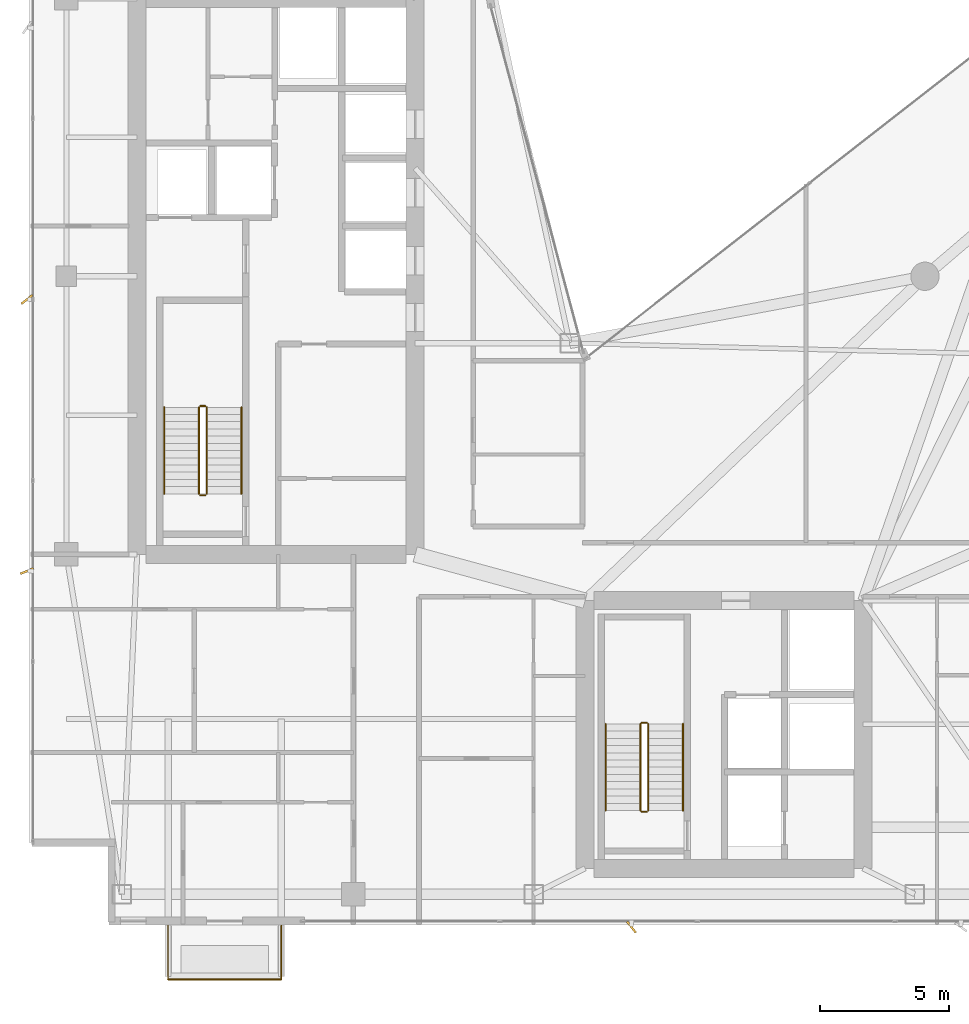
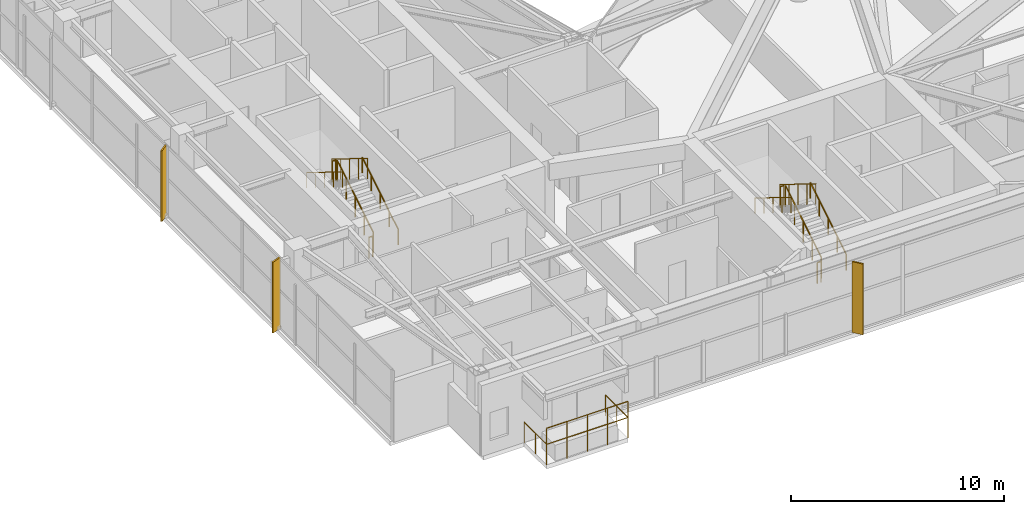
# One storey, part 28 of 29: 14 railings, 3 shading devices.
"""IFC4 building model written with IfcOpenShell, lengths in metres."""

from ifc_helpers import new_model, si_unit, direction, frame, origin, origin_2d, place, context, subcontext, project, spatial, rectangle, circle, extrude, material, type_object, element, save


model = new_model("IFC4")

# Units and contexts
model_context = context("Model", 3, precision=1e-05, world=origin(), true_north=direction((0.0, 1.0)))
body_context = subcontext(model_context, "Body", "Model", "MODEL_VIEW")
ifc_project = project(units=[si_unit("LENGTHUNIT", "METRE"), si_unit("AREAUNIT", "SQUARE_METRE"), si_unit("VOLUMEUNIT", "CUBIC_METRE"), si_unit("PLANEANGLEUNIT", "RADIAN"), si_unit("MASSUNIT", "GRAM", prefix="KILO")], contexts=[model_context])

# Site, building, storey
site_placement = place(None, origin())
site = spatial("IfcSite", under=ifc_project, at=site_placement, CompositionType="ELEMENT")
building_placement = place(site_placement, origin())
building = spatial("IfcBuilding", under=site, at=building_placement, Name="Calvorn Quay Hotel", CompositionType="ELEMENT")
storey_placement = place(building_placement, frame((0.0, 0.0, 214.800048828125)))
storey = spatial("IfcBuildingStorey", under=building, at=storey_placement, Name="L53", CompositionType="ELEMENT", Elevation=214.800048828125)

# Railings
ifc_material_1 = material(Name="Pale Anodised Aluminium and Laminated Glass", Category="aluminium")
railing_type_1 = type_object("IfcRailingType", Name="RLG-BALUSTRADE-1200", PredefinedType="BALUSTRADE", material=ifc_material_1)
railing_1_placement = place(storey_placement, frame((5.39990234375, 2.389892578125, 0.0)))
element("IfcRailing", 1, at=railing_1_placement, inside=storey, type_object=railing_type_1, Name="Tree Balcony Perimeter Balustrade L53-BALC-S", PredefinedType="BALUSTRADE", context=body_context, shape_type="SweptSolid", body=[
    extrude(circle(Radius=0.02392578125, at=origin_2d()), frame((0.0, 0.0, 1.17578125), z_axis=(0.0, -1.0, 0.0), x_axis=(1.0, 0.0, 0.0)), (0.0, 0.0, 1.0), 2.099853515625),
    extrude(circle(Radius=0.02392578125, at=origin_2d()), frame((0.0, -2.099853515625, 1.17578125), z_axis=(1.0, 0.0, 0.0), x_axis=(0.0, 1.0, 0.0)), (0.0, 0.0, 1.0), 4.400146484375),
    extrude(circle(Radius=0.02392578125, at=origin_2d()), frame((4.400146484375, -2.099853515625, 1.17578125), z_axis=(0.0, 1.0, 0.0), x_axis=(-1.0, 0.0, 0.0)), (0.0, 0.0, 1.0), 2.099853515625),
    extrude(circle(Radius=0.02099609375, at=origin_2d()), origin(), (0.0, 0.0, 1.0), 1.15185546875),
    extrude(circle(Radius=0.02099609375, at=origin_2d()), frame((0.0, -1.0498046875, 0.0)), (0.0, 0.0, 1.0), 1.15185546875),
    extrude(circle(Radius=0.02099609375, at=origin_2d()), frame((0.0, -2.099853515625, 0.0)), (0.0, 0.0, 1.0), 1.15185546875),
    extrude(circle(Radius=0.02099609375, at=origin_2d()), frame((1.10009765625, -2.099853515625, 0.0)), (0.0, 0.0, 1.0), 1.15185546875),
    extrude(circle(Radius=0.02099609375, at=origin_2d()), frame((2.2001953125, -2.099853515625, 0.0)), (0.0, 0.0, 1.0), 1.15185546875),
    extrude(circle(Radius=0.02099609375, at=origin_2d()), frame((3.300048828125, -2.099853515625, 0.0)), (0.0, 0.0, 1.0), 1.15185546875),
    extrude(circle(Radius=0.02099609375, at=origin_2d()), frame((4.400146484375, -2.099853515625, 0.0)), (0.0, 0.0, 1.0), 1.15185546875),
    extrude(circle(Radius=0.02099609375, at=origin_2d()), frame((4.400146484375, -1.0498046875, 0.0)), (0.0, 0.0, 1.0), 1.15185546875),
    extrude(circle(Radius=0.02099609375, at=origin_2d()), frame((4.400146484375, 0.0, 0.0)), (0.0, 0.0, 1.0), 1.15185546875),
])
railing_2_placement = place(storey_placement, frame((5.39990234375, 0.2900390625, 0.89990234375)))
element("IfcRailing", 2, at=railing_2_placement, inside=storey, type_object=railing_type_1, Name="Planter Kerb High Safety Screen L53-BALC-S", PredefinedType="BALUSTRADE", context=body_context, shape_type="SweptSolid", body=[
    extrude(circle(Radius=0.02392578125, at=origin_2d()), frame((0.0, 0.0, 1.19580078125), z_axis=(1.0, 0.0, 0.0), x_axis=(0.0, 1.0, 0.0)), (0.0, 0.0, 1.0), 4.400146484375),
    extrude(circle(Radius=0.02099609375, at=origin_2d()), origin(), (0.0, 0.0, 1.0), 1.171875),
    extrude(circle(Radius=0.02099609375, at=origin_2d()), frame((1.10009765625, 0.0, 0.0)), (0.0, 0.0, 1.0), 1.171875),
    extrude(circle(Radius=0.02099609375, at=origin_2d()), frame((2.2001953125, 0.0, 0.0)), (0.0, 0.0, 1.0), 1.171875),
    extrude(circle(Radius=0.02099609375, at=origin_2d()), frame((3.300048828125, 0.0, 0.0)), (0.0, 0.0, 1.0), 1.171875),
    extrude(circle(Radius=0.02099609375, at=origin_2d()), frame((4.400146484375, 0.0, 0.0)), (0.0, 0.0, 1.0), 1.171875),
])
ifc_material_2 = material(Name="Brushed Stainless Steel Handrail", Category="steel")
railing_type_2 = type_object("IfcRailingType", Name="RLG-HANDRAIL-900", PredefinedType="HANDRAIL", material=ifc_material_2)
railing_3_placement = place(storey_placement, frame((8.25, 19.14990234375, 0.173095703125)))
element("IfcRailing", 3, at=railing_3_placement, inside=storey, type_object=railing_type_2, Name="L53 ST-W stair handrail 1", PredefinedType="HANDRAIL", context=body_context, shape_type="SweptSolid", body=[
    extrude(circle(Radius=0.02392578125, at=origin_2d()), frame((0.0, 0.0, 0.8759765625), z_axis=(0.0, 0.850623216509, 0.525775754039), x_axis=(-1.0, 0.0, 0.0)), (0.0, 0.0, 1.0), 3.9501953125),
    extrude(circle(Radius=0.02099609375, at=origin_2d()), origin(), (0.0, 0.0, 1.0), 0.851806640625),
    extrude(circle(Radius=0.02099609375, at=origin_2d()), frame((0.0, 0.840087890625, 0.519287109375)), (0.0, 0.0, 1.0), 0.851806640625),
    extrude(circle(Radius=0.02099609375, at=origin_2d()), frame((0.0, 1.68017578125, 1.03857421875)), (0.0, 0.0, 1.0), 0.851806640625),
    extrude(circle(Radius=0.02099609375, at=origin_2d()), frame((0.0, 2.52001953125, 1.5576171875)), (0.0, 0.0, 1.0), 0.851806640625),
    extrude(circle(Radius=0.02099609375, at=origin_2d()), frame((0.0, 3.360107421875, 2.076904296875)), (0.0, 0.0, 1.0), 0.851806640625),
])
railing_4_placement = place(storey_placement, frame((5.25, 22.510009765625, 2.423095703125)))
element("IfcRailing", 4, at=railing_4_placement, inside=storey, type_object=railing_type_2, Name="L53 ST-W stair handrail 2", PredefinedType="HANDRAIL", context=body_context, shape_type="SweptSolid", body=[
    extrude(circle(Radius=0.02392578125, at=origin_2d()), frame((0.0, 0.0, 0.8759765625), z_axis=(0.0, -0.850623216509, 0.525775754039), x_axis=(1.0, 0.0, 0.0)), (0.0, 0.0, 1.0), 3.9501953125),
    extrude(circle(Radius=0.02099609375, at=origin_2d()), origin(), (0.0, 0.0, 1.0), 0.851806640625),
    extrude(circle(Radius=0.02099609375, at=origin_2d()), frame((0.0, -0.840087890625, 0.519287109375)), (0.0, 0.0, 1.0), 0.851806640625),
    extrude(circle(Radius=0.02099609375, at=origin_2d()), frame((0.0, -1.68017578125, 1.03857421875)), (0.0, 0.0, 1.0), 0.851806640625),
    extrude(circle(Radius=0.02099609375, at=origin_2d()), frame((0.0, -2.52001953125, 1.5576171875)), (0.0, 0.0, 1.0), 0.851806640625),
    extrude(circle(Radius=0.02099609375, at=origin_2d()), frame((0.0, -3.360107421875, 2.076904296875)), (0.0, 0.0, 1.0), 0.851806640625),
])
railing_5_placement = place(storey_placement, frame((25.39990234375, 6.85009765625, 0.173095703125)))
element("IfcRailing", 5, at=railing_5_placement, inside=storey, type_object=railing_type_2, Name="L53 ST-E stair handrail 1", PredefinedType="HANDRAIL", context=body_context, shape_type="SweptSolid", body=[
    extrude(circle(Radius=0.02392578125, at=origin_2d()), frame((0.0, 0.0, 0.8759765625), z_axis=(0.0, 0.850606129759, 0.525803396734), x_axis=(-1.0, 0.0, 0.0)), (0.0, 0.0, 1.0), 3.949951171875),
    extrude(circle(Radius=0.02099609375, at=origin_2d()), origin(), (0.0, 0.0, 1.0), 0.851806640625),
    extrude(circle(Radius=0.02099609375, at=origin_2d()), frame((0.0, 0.83984375, 0.519287109375)), (0.0, 0.0, 1.0), 0.851806640625),
    extrude(circle(Radius=0.02099609375, at=origin_2d()), frame((0.0, 1.679931640625, 1.03857421875)), (0.0, 0.0, 1.0), 0.851806640625),
    extrude(circle(Radius=0.02099609375, at=origin_2d()), frame((0.0, 2.52001953125, 1.5576171875)), (0.0, 0.0, 1.0), 0.851806640625),
    extrude(circle(Radius=0.02099609375, at=origin_2d()), frame((0.0, 3.35986328125, 2.076904296875)), (0.0, 0.0, 1.0), 0.851806640625),
])
railing_6_placement = place(storey_placement, frame((22.39990234375, 10.2099609375, 2.423095703125)))
element("IfcRailing", 6, at=railing_6_placement, inside=storey, type_object=railing_type_2, Name="L53 ST-E stair handrail 2", PredefinedType="HANDRAIL", context=body_context, shape_type="SweptSolid", body=[
    extrude(circle(Radius=0.02392578125, at=origin_2d()), frame((0.0, 0.0, 0.8759765625), z_axis=(0.0, -0.850606129759, 0.525803396734), x_axis=(1.0, 0.0, 0.0)), (0.0, 0.0, 1.0), 3.949951171875),
    extrude(circle(Radius=0.02099609375, at=origin_2d()), origin(), (0.0, 0.0, 1.0), 0.851806640625),
    extrude(circle(Radius=0.02099609375, at=origin_2d()), frame((0.0, -0.83984375, 0.519287109375)), (0.0, 0.0, 1.0), 0.851806640625),
    extrude(circle(Radius=0.02099609375, at=origin_2d()), frame((0.0, -1.679931640625, 1.03857421875)), (0.0, 0.0, 1.0), 0.851806640625),
    extrude(circle(Radius=0.02099609375, at=origin_2d()), frame((0.0, -2.52001953125, 1.5576171875)), (0.0, 0.0, 1.0), 0.851806640625),
    extrude(circle(Radius=0.02099609375, at=origin_2d()), frame((0.0, -3.35986328125, 2.076904296875)), (0.0, 0.0, 1.0), 0.851806640625),
])
ifc_material_3 = material(Name="Painted Galvanised Steel Balustrade", Category="steel")
railing_type_3 = type_object("IfcRailingType", Name="RLG-STAIR-GUARD-1120", PredefinedType="GUARDRAIL", material=ifc_material_3)
railing_7_placement = place(storey_placement, frame((6.89990234375, 19.14990234375, 0.173095703125)))
element("IfcRailing", 7, at=railing_7_placement, inside=storey, type_object=railing_type_3, Name="L53 ST-W stair guard 1", PredefinedType="GUARDRAIL", context=body_context, shape_type="SweptSolid", body=[
    extrude(circle(Radius=0.02392578125, at=origin_2d()), frame((0.0, 0.0, 1.17578125), z_axis=(0.0, 0.850623216509, 0.525775754039), x_axis=(-1.0, 0.0, 0.0)), (0.0, 0.0, 1.0), 3.9501953125),
    extrude(circle(Radius=0.02099609375, at=origin_2d()), origin(), (0.0, 0.0, 1.0), 1.15185546875),
    extrude(circle(Radius=0.02099609375, at=origin_2d()), frame((0.0, 0.840087890625, 0.519287109375)), (0.0, 0.0, 1.0), 1.15185546875),
    extrude(circle(Radius=0.02099609375, at=origin_2d()), frame((0.0, 1.68017578125, 1.03857421875)), (0.0, 0.0, 1.0), 1.15185546875),
    extrude(circle(Radius=0.02099609375, at=origin_2d()), frame((0.0, 2.52001953125, 1.5576171875)), (0.0, 0.0, 1.0), 1.15185546875),
    extrude(circle(Radius=0.02099609375, at=origin_2d()), frame((0.0, 3.360107421875, 2.076904296875)), (0.0, 0.0, 1.0), 1.15185546875),
])
railing_8_placement = place(storey_placement, frame((6.85009765625, 22.56005859375, 2.25)))
element("IfcRailing", 8, at=railing_8_placement, inside=storey, type_object=railing_type_3, Name="L53 ST-W stair guard 2", PredefinedType="GUARDRAIL", context=body_context, shape_type="SweptSolid", body=[
    extrude(circle(Radius=0.02392578125, at=origin_2d()), frame((0.0, 0.0, 1.17578125), z_axis=(-1.0, 0.0, 0.0), x_axis=(0.0, -1.0, 0.0)), (0.0, 0.0, 1.0), 0.2001953125),
    extrude(circle(Radius=0.02099609375, at=origin_2d()), origin(), (0.0, 0.0, 1.0), 1.15185546875),
    extrude(circle(Radius=0.02099609375, at=origin_2d()), frame((-0.2001953125, 0.0, 0.0)), (0.0, 0.0, 1.0), 1.15185546875),
])
railing_9_placement = place(storey_placement, frame((6.60009765625, 22.510009765625, 2.423095703125)))
element("IfcRailing", 9, at=railing_9_placement, inside=storey, type_object=railing_type_3, Name="L53 ST-W stair guard 3", PredefinedType="GUARDRAIL", context=body_context, shape_type="SweptSolid", body=[
    extrude(circle(Radius=0.02392578125, at=origin_2d()), frame((0.0, 0.0, 1.17578125), z_axis=(0.0, -0.850623216509, 0.525775754039), x_axis=(1.0, 0.0, 0.0)), (0.0, 0.0, 1.0), 3.9501953125),
    extrude(circle(Radius=0.02099609375, at=origin_2d()), origin(), (0.0, 0.0, 1.0), 1.15185546875),
    extrude(circle(Radius=0.02099609375, at=origin_2d()), frame((0.0, -0.840087890625, 0.519287109375)), (0.0, 0.0, 1.0), 1.15185546875),
    extrude(circle(Radius=0.02099609375, at=origin_2d()), frame((0.0, -1.68017578125, 1.03857421875)), (0.0, 0.0, 1.0), 1.15185546875),
    extrude(circle(Radius=0.02099609375, at=origin_2d()), frame((0.0, -2.52001953125, 1.5576171875)), (0.0, 0.0, 1.0), 1.15185546875),
    extrude(circle(Radius=0.02099609375, at=origin_2d()), frame((0.0, -3.360107421875, 2.076904296875)), (0.0, 0.0, 1.0), 1.15185546875),
])
railing_10_placement = place(storey_placement, frame((6.85009765625, 19.10009765625, 0.0)))
element("IfcRailing", 10, at=railing_10_placement, inside=storey, type_object=railing_type_3, Name="L53 ST-W stair guard 4", PredefinedType="GUARDRAIL", context=body_context, shape_type="SweptSolid", body=[
    extrude(circle(Radius=0.02392578125, at=origin_2d()), frame((0.0, 0.0, 1.17578125), z_axis=(-1.0, 0.0, 0.0), x_axis=(0.0, -1.0, 0.0)), (0.0, 0.0, 1.0), 0.2001953125),
    extrude(circle(Radius=0.02099609375, at=origin_2d()), origin(), (0.0, 0.0, 1.0), 1.15185546875),
    extrude(circle(Radius=0.02099609375, at=origin_2d()), frame((-0.2001953125, 0.0, 0.0)), (0.0, 0.0, 1.0), 1.15185546875),
])
railing_11_placement = place(storey_placement, frame((24.050048828125, 6.85009765625, 0.173095703125)))
element("IfcRailing", 11, at=railing_11_placement, inside=storey, type_object=railing_type_3, Name="L53 ST-E stair guard 1", PredefinedType="GUARDRAIL", context=body_context, shape_type="SweptSolid", body=[
    extrude(circle(Radius=0.02392578125, at=origin_2d()), frame((0.0, 0.0, 1.17578125), z_axis=(0.0, 0.850606129759, 0.525803396734), x_axis=(-1.0, 0.0, 0.0)), (0.0, 0.0, 1.0), 3.949951171875),
    extrude(circle(Radius=0.02099609375, at=origin_2d()), origin(), (0.0, 0.0, 1.0), 1.15185546875),
    extrude(circle(Radius=0.02099609375, at=origin_2d()), frame((0.0, 0.83984375, 0.519287109375)), (0.0, 0.0, 1.0), 1.15185546875),
    extrude(circle(Radius=0.02099609375, at=origin_2d()), frame((0.0, 1.679931640625, 1.03857421875)), (0.0, 0.0, 1.0), 1.15185546875),
    extrude(circle(Radius=0.02099609375, at=origin_2d()), frame((0.0, 2.52001953125, 1.5576171875)), (0.0, 0.0, 1.0), 1.15185546875),
    extrude(circle(Radius=0.02099609375, at=origin_2d()), frame((0.0, 3.35986328125, 2.076904296875)), (0.0, 0.0, 1.0), 1.15185546875),
])
railing_12_placement = place(storey_placement, frame((24.0, 10.260009765625, 2.25)))
element("IfcRailing", 12, at=railing_12_placement, inside=storey, type_object=railing_type_3, Name="L53 ST-E stair guard 2", PredefinedType="GUARDRAIL", context=body_context, shape_type="SweptSolid", body=[
    extrude(circle(Radius=0.02392578125, at=origin_2d()), frame((0.0, 0.0, 1.17578125), z_axis=(-1.0, 0.0, 0.0), x_axis=(0.0, -1.0, 0.0)), (0.0, 0.0, 1.0), 0.199951171875),
    extrude(circle(Radius=0.02099609375, at=origin_2d()), origin(), (0.0, 0.0, 1.0), 1.15185546875),
    extrude(circle(Radius=0.02099609375, at=origin_2d()), frame((-0.199951171875, 0.0, 0.0)), (0.0, 0.0, 1.0), 1.15185546875),
])
railing_13_placement = place(storey_placement, frame((23.75, 10.2099609375, 2.423095703125)))
element("IfcRailing", 13, at=railing_13_placement, inside=storey, type_object=railing_type_3, Name="L53 ST-E stair guard 3", PredefinedType="GUARDRAIL", context=body_context, shape_type="SweptSolid", body=[
    extrude(circle(Radius=0.02392578125, at=origin_2d()), frame((0.0, 0.0, 1.17578125), z_axis=(0.0, -0.850606129759, 0.525803396734), x_axis=(1.0, 0.0, 0.0)), (0.0, 0.0, 1.0), 3.949951171875),
    extrude(circle(Radius=0.02099609375, at=origin_2d()), origin(), (0.0, 0.0, 1.0), 1.15185546875),
    extrude(circle(Radius=0.02099609375, at=origin_2d()), frame((0.0, -0.83984375, 0.519287109375)), (0.0, 0.0, 1.0), 1.15185546875),
    extrude(circle(Radius=0.02099609375, at=origin_2d()), frame((0.0, -1.679931640625, 1.03857421875)), (0.0, 0.0, 1.0), 1.15185546875),
    extrude(circle(Radius=0.02099609375, at=origin_2d()), frame((0.0, -2.52001953125, 1.5576171875)), (0.0, 0.0, 1.0), 1.15185546875),
    extrude(circle(Radius=0.02099609375, at=origin_2d()), frame((0.0, -3.35986328125, 2.076904296875)), (0.0, 0.0, 1.0), 1.15185546875),
])
railing_14_placement = place(storey_placement, frame((24.0, 6.800048828125, 0.0)))
element("IfcRailing", 14, at=railing_14_placement, inside=storey, type_object=railing_type_3, Name="L53 ST-E stair guard 4", PredefinedType="GUARDRAIL", context=body_context, shape_type="SweptSolid", body=[
    extrude(circle(Radius=0.02392578125, at=origin_2d()), frame((0.0, 0.0, 1.17578125), z_axis=(-1.0, 0.0, 0.0), x_axis=(0.0, -1.0, 0.0)), (0.0, 0.0, 1.0), 0.199951171875),
    extrude(circle(Radius=0.02099609375, at=origin_2d()), origin(), (0.0, 0.0, 1.0), 1.15185546875),
    extrude(circle(Radius=0.02099609375, at=origin_2d()), frame((-0.199951171875, 0.0, 0.0)), (0.0, 0.0, 1.0), 1.15185546875),
])

# Shading devices
ifc_material_4 = material(Name="Champagne Bronze Anodised Aluminium 6063-T6", Category="aluminium")
shading_device_type_1 = type_object("IfcShadingDeviceType", Name="SHD-FIN-A1", PredefinedType="USERDEFINED", material=ifc_material_4)
shading_device_placement = place(storey_placement, frame((-0.080078125, 16.14990234375, 0.0), z_axis=(0.0, 0.0, 1.0), x_axis=(0.927183854567, 0.374606593416, 0.0)))
element("IfcShadingDevice", 15, at=shading_device_placement, inside=storey, type_object=shading_device_type_1, Name="Diagonal Sun-Shading Fin L53-W01", ObjectType="FIN", PredefinedType="USERDEFINED", context=body_context, shape_type="SweptSolid", body=[
    extrude(rectangle(XDim=0.550048828125, YDim=0.080078125, at=origin_2d()), origin(), (0.0, 0.0, 1.0), 4.050048828125),
])
ifc_material_5 = material(Name="Champagne Bronze Anodised Aluminium 6063-T6", Category="aluminium")
shading_device_type_2 = type_object("IfcShadingDeviceType", Name="SHD-FIN-A2", PredefinedType="USERDEFINED", material=ifc_material_5)
for number, where, z_axis, x_axis, name in (
    (16, (-0.080078125, 26.699951171875, 0.0), (0.0, 0.0, 1.0), (0.788010753607, 0.615661475326, 0.0), "Diagonal Sun-Shading Fin L53-W02"),
    (17, (23.39990234375, 2.320068359375, 0.0), (0.0, 0.0, 1.0), (-0.615661475326, 0.788010753607, 0.0), "Diagonal Sun-Shading Fin L53-S01"),
):
    element("IfcShadingDevice", number, at=place(storey_placement, frame(where, z_axis=z_axis, x_axis=x_axis)), inside=storey, type_object=shading_device_type_2, Name=name, ObjectType="FIN", PredefinedType="USERDEFINED", context=body_context, shape_type="SweptSolid", body=[
        extrude(rectangle(XDim=0.550048828125, YDim=0.080078125, at=origin_2d()), origin(), (0.0, 0.0, 1.0), 4.050048828125),
    ])

save(model, "model.ifc")
